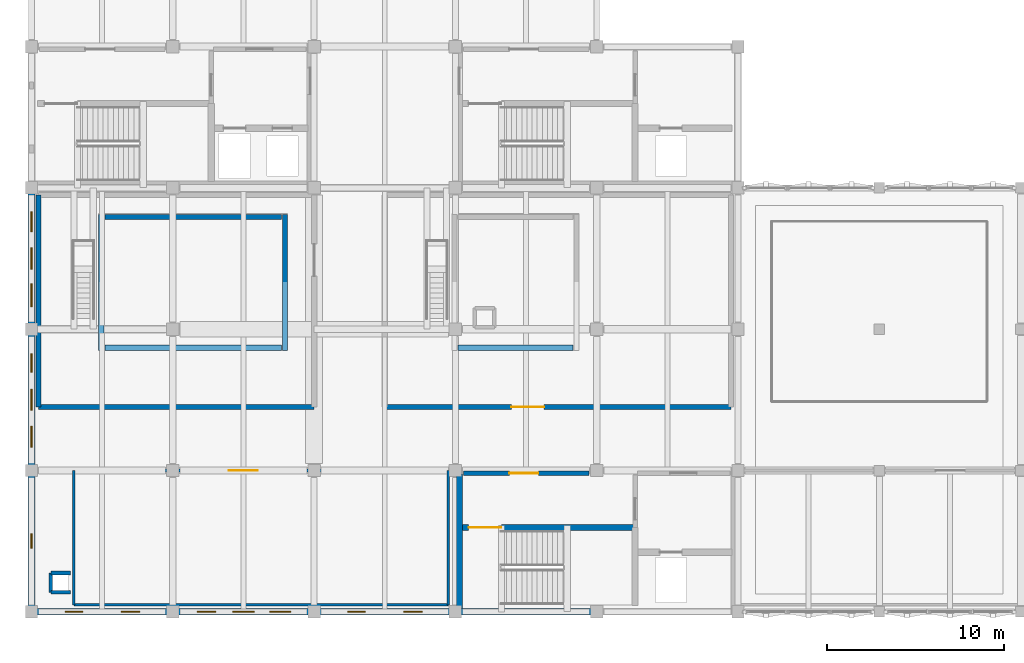
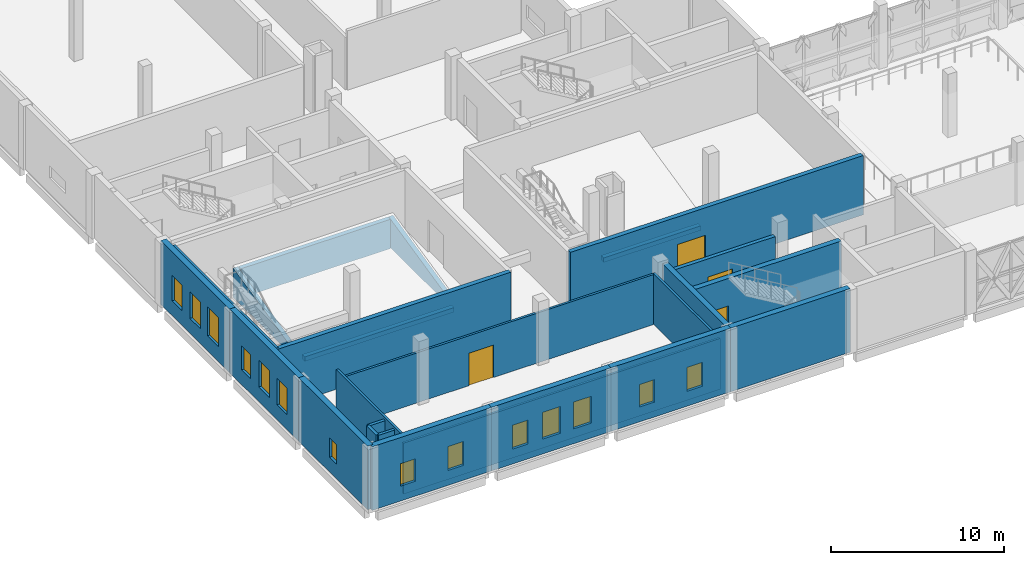
# One storey, part 35 of 43: 25 walls, 14 windows, 4 doors, 18 openings.
"""IFC4 building model written with IfcOpenShell, lengths in metres."""

from ifc_helpers import new_model, si_unit, direction, frame, frame_2d, origin, place, context, subcontext, project, spatial, polyline, rectangle, outline, extrude, material, layer, layer_set, type_object, element, fill, save


model = new_model("IFC4")

# Units and contexts
model_context = context("Model", 3, precision=1e-05, world=origin(), true_north=direction((0.0, 1.0)))
body_context = subcontext(model_context, "Body", "Model", "MODEL_VIEW")
ifc_project = project(units=[si_unit("LENGTHUNIT", "METRE"), si_unit("AREAUNIT", "SQUARE_METRE"), si_unit("VOLUMEUNIT", "CUBIC_METRE"), si_unit("PLANEANGLEUNIT", "RADIAN"), si_unit("MASSUNIT", "GRAM", prefix="KILO")], contexts=[model_context])

# Site, building, storey
site_placement = place(None, origin())
site = spatial("IfcSite", under=ifc_project, at=site_placement, CompositionType="ELEMENT")
building_placement = place(site_placement, origin())
building = spatial("IfcBuilding", under=site, at=building_placement, Name="Qorikala Patio Media Centre", CompositionType="ELEMENT")
storey_placement = place(building_placement, frame((0.0, 0.0, 18.89990234375)))
storey = spatial("IfcBuildingStorey", under=building, at=storey_placement, Name="L04", CompositionType="ELEMENT", Elevation=18.89990234375)

# Walls
ifc_material_1 = material(Name="Concrete C35/45", Category="concrete")
ifc_layer_1 = layer(ifc_material_1, 0.300048828125)
ifc_layer_set_1 = layer_set([ifc_layer_1], Name="Concrete C35/45")
wall_type_1 = type_object("IfcWallType", Name="WL-AC-300", PredefinedType="SHEAR", material=ifc_layer_set_1)
for number, where, z_axis, x_axis, name in (
    (1, (6.949951171875, 17.800048828125, 0.0), (0.0, 0.0, 1.0), (0.0, 1.0, 0.0), "Cinema Screen 5 Raked Seating Tier Raker Cheek Wall W"),
    (2, (17.35009765625, 17.800048828125, 0.0), (0.0, 0.0, 1.0), (0.0, 1.0, 0.0), "Cinema Screen 5 Raked Seating Tier Raker Cheek Wall E"),
):
    element("IfcWall", number, at=place(storey_placement, frame(where, z_axis=z_axis, x_axis=x_axis)), inside=storey, type_object=wall_type_1, Name=name, PredefinedType="SHEAR", context=body_context, shape_type="SweptSolid", body=[
        extrude(outline(polyline([(0.0, 0.0), (7.699951171875, 0.0), (7.699951171875, 2.070068359375), (0.0, 0.320068359375), (0.0, 0.0)])), frame((0.0, 0.14990234375, 0.0), z_axis=(0.0, -1.0, 0.0), x_axis=(1.0, 0.0, 0.0)), (0.0, 0.0, 1.0), 0.300048828125),
    ])
wall_1_placement = place(storey_placement, frame((7.14990234375, 25.35009765625, 0.0), z_axis=(0.0, 0.0, 1.0), x_axis=(1.0, 0.0, 0.0)))
element("IfcWall", 3, at=wall_1_placement, inside=storey, type_object=wall_type_1, Name="Cinema Screen 5 Raked Seating Tier Rear Riser Support Wall", PredefinedType="SHEAR", context=body_context, shape_type="SweptSolid", body=[
    extrude(rectangle(XDim=10.0, YDim=0.300048828125, at=frame_2d((5.0, 0.0))), origin(), (0.0, 0.0, 1.0), 2.070068359375),
])
wall_2_placement = place(storey_placement, frame((7.14990234375, 17.949951171875, 0.0), z_axis=(0.0, 0.0, 1.0), x_axis=(1.0, 0.0, 0.0)))
element("IfcWall", 4, at=wall_2_placement, inside=storey, type_object=wall_type_1, Name="Cinema Screen 5 Raked Seating Tier Front Riser Support Wall", PredefinedType="SHEAR", context=body_context, shape_type="SweptSolid", body=[
    extrude(rectangle(XDim=10.0, YDim=0.300048828125, at=frame_2d((5.0, 0.0))), origin(), (0.0, 0.0, 1.0), 0.320068359375),
])
wall_3_placement = place(storey_placement, frame((27.14990234375, 17.949951171875, 0.0), z_axis=(0.0, 0.0, 1.0), x_axis=(1.0, 0.0, 0.0)))
element("IfcWall", 5, at=wall_3_placement, inside=storey, type_object=wall_type_1, Name="Cinema Screen 6 Raked Seating Tier Front Riser Support Wall", PredefinedType="SHEAR", context=body_context, shape_type="SweptSolid", body=[
    extrude(rectangle(XDim=6.5, YDim=0.300048828125, at=frame_2d((3.25, 0.0))), origin(), (0.0, 0.0, 1.0), 0.320068359375),
])
wall_4_placement = place(storey_placement, frame((3.39990234375, 14.60009765625, 0.0), z_axis=(0.0, 0.0, 1.0), x_axis=(1.0, 0.0, 0.0)))
element("IfcWall", 6, at=wall_4_placement, inside=storey, type_object=wall_type_1, Name="L04 Interior Wall WINT-L04-SCR5-S", PredefinedType="SHEAR", context=body_context, shape_type="SweptSolid", body=[
    extrude(rectangle(XDim=15.60009765625, YDim=0.300048828125, at=frame_2d((7.800048828125, 0.0))), origin(), (0.0, 0.0, 1.0), 4.2001953125),
])
wall_5_placement = place(storey_placement, frame((3.39990234375, 14.60009765625, 0.0), z_axis=(0.0, 0.0, 1.0), x_axis=(0.0, 1.0, 0.0)))
element("IfcWall", 7, at=wall_5_placement, inside=storey, type_object=wall_type_1, Name="L04 Interior Wall WINT-L04-SCR5-W", PredefinedType="SHEAR", context=body_context, shape_type="SweptSolid", body=[
    extrude(rectangle(XDim=12.0, YDim=0.300048828125, at=frame_2d((6.0, 0.0))), origin(), (0.0, 0.0, 1.0), 4.2001953125),
])

# Wall, opening, door
wall_6_placement = place(storey_placement, frame((23.0, 14.60009765625, 0.0), z_axis=(0.0, 0.0, 1.0), x_axis=(1.0, 0.0, 0.0)))
wall_6 = element("IfcWall", 8, at=wall_6_placement, inside=storey, type_object=wall_type_1, Name="L04 Interior Wall WINT-L04-SCR6-S", PredefinedType="SHEAR", context=body_context, shape_type="SweptSolid", body=[
    extrude(rectangle(XDim=19.60009765625, YDim=0.300048828125, at=frame_2d((9.800048828125, 0.0))), origin(), (0.0, 0.0, 1.0), 4.2001953125),
])
opening_1_placement = place(wall_6_placement, frame((7.169921875, 0.0, 0.0)))
opening_1 = element("IfcOpeningElement", 9, at=opening_1_placement, cuts=wall_6, Name="Opening D303", PredefinedType="OPENING", context=body_context, shape_type="SweptSolid", body=[
    extrude(rectangle(XDim=1.85009765625, YDim=2.25, at=frame_2d((0.925048828125, 1.125))), frame((0.0, 0.159912109375, 0.0), z_axis=(0.0, -1.0, 0.0), x_axis=(1.0, 0.0, 0.0)), (0.0, 0.0, 1.0), 0.320068359375),
])
ifc_material_2 = material(Name="Powder-Coated Acoustic Fire Steel", Category="steel")
door_type_1 = type_object("IfcDoorType", Name="DR-FD60-185X225", OperationType="DOUBLE_DOOR_SINGLE_SWING", PredefinedType="DOOR", material=ifc_material_2)
door_1_placement = place(opening_1_placement, origin())
door_1 = element("IfcDoor", 10, at=door_1_placement, inside=storey, type_object=door_type_1, Name="Cinema Screen 6 Door 092", OperationType="DOUBLE_DOOR_SINGLE_SWING", OverallHeight=2.25, OverallWidth=1.85009765625, PredefinedType="DOOR", context=body_context, shape_type="SweptSolid", body=[
    extrude(rectangle(XDim=1.85009765625, YDim=2.25, at=frame_2d((0.925048828125, 1.125))), frame((0.0, 0.02490234375, 0.0), z_axis=(0.0, -1.0, 0.0), x_axis=(1.0, 0.0, 0.0)), (0.0, 0.0, 1.0), 0.050048828125),
])
fill(opening_1, door_1)

# Wall
ifc_layer_2 = layer(ifc_material_1, 0.35009765625)
ifc_layer_set_2 = layer_set([ifc_layer_2], Name="Concrete C35/45")
wall_type_2 = type_object("IfcWallType", Name="WL-CORE-350", PredefinedType="SHEAR", material=ifc_layer_set_2)
wall_7_placement = place(storey_placement, frame((27.22509765625, 3.199951171875, 0.0), z_axis=(0.0, 0.0, 1.0), x_axis=(0.0, 1.0, 0.0)))
element("IfcWall", 11, at=wall_7_placement, inside=storey, type_object=wall_type_2, Name="L04 Interior Wall CW-L04-C1-SW", PredefinedType="SHEAR", context=body_context, shape_type="SweptSolid", body=[
    extrude(rectangle(XDim=7.60009765625, YDim=0.35009765625, at=frame_2d((3.800048828125, 0.0))), origin(), (0.0, 0.0, 1.0), 4.2001953125),
])

# Wall, opening, door
wall_8_placement = place(storey_placement, frame((27.35009765625, 7.77490234375, 0.0), z_axis=(0.0, 0.0, 1.0), x_axis=(1.0, 0.0, 0.0)))
wall_8 = element("IfcWall", 12, at=wall_8_placement, inside=storey, type_object=wall_type_2, Name="L04 Interior Wall CW-L04-C1-SN", PredefinedType="SHEAR", context=body_context, shape_type="SweptSolid", body=[
    extrude(rectangle(XDim=9.824951171875, YDim=0.35009765625, at=frame_2d((4.91259765625, 0.0))), origin(), (0.0, 0.0, 1.0), 4.2001953125),
])
opening_2_placement = place(wall_8_placement, frame((0.39990234375, 0.0, 0.0)))
opening_2 = element("IfcOpeningElement", 13, at=opening_2_placement, cuts=wall_8, Name="Opening D043", PredefinedType="OPENING", context=body_context, shape_type="SweptSolid", body=[
    extrude(rectangle(XDim=1.85009765625, YDim=2.25, at=frame_2d((0.925048828125, 1.125))), frame((0.0, 0.18505859375, 0.0), z_axis=(0.0, -1.0, 0.0), x_axis=(1.0, 0.0, 0.0)), (0.0, 0.0, 1.0), 0.3701171875),
])
door_2_placement = place(opening_2_placement, origin())
door_2 = element("IfcDoor", 14, at=door_2_placement, inside=storey, type_object=door_type_1, Name="L04 Stair ST-1 Fire Door", OperationType="DOUBLE_DOOR_SINGLE_SWING", OverallHeight=2.25, OverallWidth=1.85009765625, PredefinedType="DOOR", context=body_context, shape_type="SweptSolid", body=[
    extrude(rectangle(XDim=1.85009765625, YDim=2.25, at=frame_2d((0.925048828125, 1.125))), frame((0.0, 0.02490234375, 0.0), z_axis=(0.0, -1.0, 0.0), x_axis=(1.0, 0.0, 0.0)), (0.0, 0.0, 1.0), 0.050048828125),
])
fill(opening_2, door_2)

ifc_layer_3 = layer(ifc_material_1, 0.25)
ifc_layer_set_3 = layer_set([ifc_layer_3], Name="Concrete C35/45")
wall_type_3 = type_object("IfcWallType", Name="WL-FFL-250", PredefinedType="PARTITIONING", material=ifc_layer_set_3)
wall_9_placement = place(storey_placement, frame((27.449951171875, 10.85009765625, 0.0), z_axis=(0.0, 0.0, 1.0), x_axis=(1.0, 0.0, 0.0)))
wall_9 = element("IfcWall", 15, at=wall_9_placement, inside=storey, type_object=wall_type_3, Name="L04 Interior Wall CW-L04-C1-CN1", PredefinedType="PARTITIONING", context=body_context, shape_type="SweptSolid", body=[
    extrude(rectangle(XDim=7.10009765625, YDim=0.25, at=frame_2d((3.550048828125, 0.0))), origin(), (0.0, 0.0, 1.0), 3.53515625),
])
opening_3_placement = place(wall_9_placement, frame((2.60009765625, 0.0, 0.0)))
opening_3 = element("IfcOpeningElement", 16, at=opening_3_placement, cuts=wall_9, Name="Opening D045", PredefinedType="OPENING", context=body_context, shape_type="SweptSolid", body=[
    extrude(rectangle(XDim=1.64990234375, YDim=2.25, at=frame_2d((0.824951171875, 1.125))), frame((0.0, 0.135009765625, 0.0), z_axis=(0.0, -1.0, 0.0), x_axis=(1.0, 0.0, 0.0)), (0.0, 0.0, 1.0), 0.27001953125),
])
door_type_2 = type_object("IfcDoorType", Name="DR-FD60-165X225", OperationType="DOUBLE_DOOR_SINGLE_SWING", PredefinedType="DOOR", material=ifc_material_2)
door_3_placement = place(opening_3_placement, frame((1.64990234375, 0.0, 0.0), z_axis=(0.0, 0.0, 1.0), x_axis=(-1.0, 0.0, 0.0)))
door_3 = element("IfcDoor", 17, at=door_3_placement, inside=storey, type_object=door_type_2, Name="L04 Core C1 Vestibule Door", OperationType="DOUBLE_DOOR_SINGLE_SWING", OverallHeight=2.25, OverallWidth=1.64990234375, PredefinedType="DOOR", context=body_context, shape_type="SweptSolid", body=[
    extrude(rectangle(XDim=1.64990234375, YDim=2.25, at=frame_2d((0.824951171875, 1.125))), frame((0.0, 0.02490234375, 0.0), z_axis=(0.0, -1.0, 0.0), x_axis=(1.0, 0.0, 0.0)), (0.0, 0.0, 1.0), 0.050048828125),
])
fill(opening_3, door_3)

# Walls
ifc_material_3 = material(Name="Acoustic Gypsum Stud Partition")
ifc_layer_4 = layer(ifc_material_3, 0.14990234375)
ifc_layer_set_4 = layer_set([ifc_layer_4], Name="Acoustic Gypsum Stud Partition")
wall_type_4 = type_object("IfcWallType", Name="WL-PT-150", PredefinedType="PARTITIONING", material=ifc_layer_set_4)
wall_10_placement = place(storey_placement, frame((5.39990234375, 3.39990234375, 0.0), z_axis=(0.0, 0.0, 1.0), x_axis=(1.0, 0.0, 0.0)))
element("IfcWall", 18, at=wall_10_placement, inside=storey, type_object=wall_type_4, Name="L04 Interior Wall WINT-L04-SLK5-S", PredefinedType="PARTITIONING", context=body_context, shape_type="SweptSolid", body=[
    extrude(rectangle(XDim=21.2001953125, YDim=0.14990234375, at=frame_2d((10.60009765625, 0.0))), origin(), (0.0, 0.0, 1.0), 3.60498046875),
])
wall_11_placement = place(storey_placement, frame((26.60009765625, 3.39990234375, 0.0), z_axis=(0.0, 0.0, 1.0), x_axis=(0.0, 1.0, 0.0)))
element("IfcWall", 19, at=wall_11_placement, inside=storey, type_object=wall_type_4, Name="L04 Interior Wall WINT-L04-SLK5-E", PredefinedType="PARTITIONING", context=body_context, shape_type="SweptSolid", body=[
    extrude(rectangle(XDim=7.60009765625, YDim=0.14990234375, at=frame_2d((3.800048828125, 0.0))), origin(), (0.0, 0.0, 1.0), 3.585205078125),
])

# Wall, opening, door
wall_12_placement = place(storey_placement, frame((5.39990234375, 11.0, 0.0), z_axis=(0.0, 0.0, 1.0), x_axis=(1.0, 0.0, 0.0)))
wall_12 = element("IfcWall", 20, at=wall_12_placement, inside=storey, type_object=wall_type_4, Name="L04 Interior Wall WINT-L04-SLK5-N", PredefinedType="PARTITIONING", context=body_context, shape_type="SweptSolid", body=[
    extrude(rectangle(XDim=21.2001953125, YDim=0.14990234375, at=frame_2d((10.60009765625, 0.0))), origin(), (0.0, 0.0, 1.0), 3.53515625),
])
opening_4_placement = place(wall_12_placement, frame((8.76708984375, 0.0, 0.0)))
opening_4 = element("IfcOpeningElement", 21, at=opening_4_placement, cuts=wall_12, Name="Opening D301", PredefinedType="OPENING", context=body_context, shape_type="SweptSolid", body=[
    extrude(rectangle(XDim=1.64990234375, YDim=2.300048828125, at=frame_2d((0.824951171875, 1.14990234375))), frame((0.0, 0.0849609375, 0.0), z_axis=(0.0, -1.0, 0.0), x_axis=(1.0, 0.0, 0.0)), (0.0, 0.0, 1.0), 0.169921875),
])
ifc_material_4 = material(Name="Solid Andean Cedar Timber", Category="wood")
door_type_3 = type_object("IfcDoorType", Name="DR-IN-165X230", OperationType="DOUBLE_DOOR_SINGLE_SWING", PredefinedType="DOOR", material=ifc_material_4)
door_4_placement = place(opening_4_placement, origin())
door_4 = element("IfcDoor", 22, at=door_4_placement, inside=storey, type_object=door_type_3, Name="Upper Cinema Acoustic Lounge Door 090", OperationType="DOUBLE_DOOR_SINGLE_SWING", OverallHeight=2.300048828125, OverallWidth=1.64990234375, PredefinedType="DOOR", context=body_context, shape_type="SweptSolid", body=[
    extrude(rectangle(XDim=1.64990234375, YDim=2.300048828125, at=frame_2d((0.824951171875, 1.14990234375))), frame((0.0, 0.02490234375, 0.0), z_axis=(0.0, -1.0, 0.0), x_axis=(1.0, 0.0, 0.0)), (0.0, 0.0, 1.0), 0.050048828125),
])
fill(opening_4, door_4)

# Walls
wall_13_placement = place(storey_placement, frame((5.39990234375, 3.39990234375, 0.0), z_axis=(0.0, 0.0, 1.0), x_axis=(0.0, 1.0, 0.0)))
element("IfcWall", 23, at=wall_13_placement, inside=storey, type_object=wall_type_4, Name="L04 Interior Wall WINT-L04-SLK5-W", PredefinedType="PARTITIONING", context=body_context, shape_type="SweptSolid", body=[
    extrude(rectangle(XDim=7.60009765625, YDim=0.14990234375, at=frame_2d((3.800048828125, 0.0))), origin(), (0.0, 0.0, 1.0), 4.2001953125),
])
ifc_material_5 = material(Name="Acoustic Masonry and Plaster Concrete C30/37", Category="masonry")
ifc_layer_5 = layer(ifc_material_5, 0.199951171875)
ifc_layer_set_5 = layer_set([ifc_layer_5], Name="Acoustic Masonry and Plaster Concrete C30/37")
wall_type_5 = type_object("IfcWallType", Name="WL-ST-200", PredefinedType="PARTITIONING", material=ifc_layer_set_5)
for number, where, z_axis, x_axis, name in (
    (24, (4.10009765625, 4.10009765625, 0.0), (0.0, 0.0, 1.0), (1.0, 0.0, 0.0), "L04 Interior Wall RSW-1-L04-S"),
    (25, (4.10009765625, 5.199951171875, 0.0), (0.0, 0.0, 1.0), (1.0, 0.0, 0.0), "L04 Interior Wall RSW-1-L04-N"),
    (26, (4.10009765625, 4.10009765625, 0.0), (0.0, 0.0, 1.0), (0.0, 1.0, 0.0), "L04 Interior Wall RSW-1-L04-W"),
):
    element("IfcWall", number, at=place(storey_placement, frame(where, z_axis=z_axis, x_axis=x_axis)), inside=storey, type_object=wall_type_5, Name=name, PredefinedType="PARTITIONING", context=body_context, shape_type="SweptSolid", body=[
        extrude(rectangle(XDim=1.099853515625, YDim=0.199951171875, at=frame_2d((0.5498046875, 0.0))), origin(), (0.0, 0.0, 1.0), 4.2001953125),
    ])
ifc_material_6 = material(Name="Comanche Granite and Concrete C35/45", Category="masonry")
ifc_layer_6 = layer(ifc_material_6, 0.3798828125)
ifc_layer_set_6 = layer_set([ifc_layer_6], Name="Comanche Granite and Concrete C35/45")
wall_type_6 = type_object("IfcWallType", Name="WL-STONE-380", PredefinedType="SOLIDWALL", material=ifc_layer_set_6)
wall_14_placement = place(storey_placement, frame((35.0, 3.0, 0.0), z_axis=(0.0, 0.0, 1.0), x_axis=(-1.0, 0.0, 0.0)))
element("IfcWall", 27, at=wall_14_placement, inside=storey, type_object=wall_type_6, Name="L04 Core C1 Exterior Shear Wall", PredefinedType="SOLIDWALL", context=body_context, shape_type="SweptSolid", body=[
    extrude(rectangle(XDim=8.0, YDim=0.3798828125, at=frame_2d((4.0, 0.0))), origin(), (0.0, 0.0, 1.0), 4.5),
])

# Wall, openings, windows
wall_15_placement = place(storey_placement, frame((27.0, 3.0, 0.0), z_axis=(0.0, 0.0, 1.0), x_axis=(-1.0, 0.0, 0.0)))
wall_15 = element("IfcWall", 28, at=wall_15_placement, inside=storey, type_object=wall_type_6, Name="L04 Exterior Wall WL-L04-EXT-0014", PredefinedType="SOLIDWALL", context=body_context, shape_type="SweptSolid", body=[
    extrude(rectangle(XDim=8.0, YDim=0.3798828125, at=frame_2d((4.0, 0.0))), origin(), (0.0, 0.0, 1.0), 4.5),
])
opening_5_placement = place(wall_15_placement, frame((1.875, 0.0, 1.050048828125)))
opening_5 = element("IfcOpeningElement", 29, at=opening_5_placement, cuts=wall_15, Name="Opening WG-105", PredefinedType="OPENING", context=body_context, shape_type="SweptSolid", body=[
    extrude(rectangle(XDim=1.050048828125, YDim=1.699951171875, at=frame_2d((0.52490234375, 0.85009765625))), frame((0.0, 0.199951171875, 0.0), z_axis=(0.0, -1.0, 0.0), x_axis=(1.0, 0.0, 0.0)), (0.0, 0.0, 1.0), 0.39990234375),
])
opening_6_placement = place(wall_15_placement, frame((5.110107421875, 0.0, 1.050048828125)))
opening_6 = element("IfcOpeningElement", 30, at=opening_6_placement, cuts=wall_15, Name="Opening WG-098", PredefinedType="OPENING", context=body_context, shape_type="SweptSolid", body=[
    extrude(rectangle(XDim=0.97998046875, YDim=1.60009765625, at=frame_2d((0.489990234375, 0.800048828125))), frame((0.0, 0.199951171875, 0.0), z_axis=(0.0, -1.0, 0.0), x_axis=(1.0, 0.0, 0.0)), (0.0, 0.0, 1.0), 0.39990234375),
])
ifc_material_7 = material(Name="Bronze Anodised Aluminium and Low-E Glass", Category="aluminium")
window_type_1 = type_object("IfcWindowType", Name="WN-GRAD-098X160", PartitioningType="SINGLE_PANEL", PredefinedType="WINDOW", material=ifc_material_7)
window_1_placement = place(opening_6_placement, origin())
window_1 = element("IfcWindow", 31, at=window_1_placement, inside=storey, type_object=window_type_1, Name="L04 Graduated Stone Window 0217", OverallHeight=1.60009765625, OverallWidth=0.97998046875, PartitioningType="SINGLE_PANEL", PredefinedType="WINDOW", context=body_context, shape_type="SweptSolid", body=[
    extrude(rectangle(XDim=0.97998046875, YDim=1.60009765625, at=frame_2d((0.489990234375, 0.800048828125))), frame((0.0, 0.030029296875, 0.0), z_axis=(0.0, -1.0, 0.0), x_axis=(1.0, 0.0, 0.0)), (0.0, 0.0, 1.0), 0.06005859375),
])
fill(opening_6, window_1)
window_type_2 = type_object("IfcWindowType", Name="WN-GRAD-105X170", PartitioningType="SINGLE_PANEL", PredefinedType="WINDOW", material=ifc_material_7)
window_2_placement = place(opening_5_placement, origin())
window_2 = element("IfcWindow", 32, at=window_2_placement, inside=storey, type_object=window_type_2, Name="L04 Graduated Stone Window 0216", OverallHeight=1.699951171875, OverallWidth=1.050048828125, PartitioningType="SINGLE_PANEL", PredefinedType="WINDOW", context=body_context, shape_type="SweptSolid", body=[
    extrude(rectangle(XDim=1.050048828125, YDim=1.699951171875, at=frame_2d((0.52490234375, 0.85009765625))), frame((0.0, 0.030029296875, 0.0), z_axis=(0.0, -1.0, 0.0), x_axis=(1.0, 0.0, 0.0)), (0.0, 0.0, 1.0), 0.06005859375),
])
fill(opening_5, window_2)

wall_16_placement = place(storey_placement, frame((19.0, 3.0, 0.0), z_axis=(0.0, 0.0, 1.0), x_axis=(-1.0, 0.0, 0.0)))
wall_16 = element("IfcWall", 33, at=wall_16_placement, inside=storey, type_object=wall_type_6, Name="L04 Exterior Wall WL-L04-EXT-0015", PredefinedType="SOLIDWALL", context=body_context, shape_type="SweptSolid", body=[
    extrude(rectangle(XDim=8.0, YDim=0.3798828125, at=frame_2d((4.0, 0.0))), origin(), (0.0, 0.0, 1.0), 4.5),
])
opening_7_placement = place(wall_16_placement, frame((1.320068359375, 0.0, 1.050048828125)))
opening_7 = element("IfcOpeningElement", 34, at=opening_7_placement, cuts=wall_16, Name="Opening WG-120", PredefinedType="OPENING", context=body_context, shape_type="SweptSolid", body=[
    extrude(rectangle(XDim=1.199951171875, YDim=1.89990234375, at=frame_2d((0.60009765625, 0.949951171875))), frame((0.0, 0.199951171875, 0.0), z_axis=(0.0, -1.0, 0.0), x_axis=(1.0, 0.0, 0.0)), (0.0, 0.0, 1.0), 0.39990234375),
])
opening_8_placement = place(wall_16_placement, frame((3.39990234375, 0.0, 1.050048828125)))
opening_8 = element("IfcOpeningElement", 35, at=opening_8_placement, cuts=wall_16, Name="Opening WG-120", PredefinedType="OPENING", context=body_context, shape_type="SweptSolid", body=[
    extrude(rectangle(XDim=1.199951171875, YDim=1.89990234375, at=frame_2d((0.60009765625, 0.949951171875))), frame((0.0, 0.199951171875, 0.0), z_axis=(0.0, -1.0, 0.0), x_axis=(1.0, 0.0, 0.0)), (0.0, 0.0, 1.0), 0.39990234375),
])
opening_9_placement = place(wall_16_placement, frame((5.554931640625, 0.0, 1.050048828125)))
opening_9 = element("IfcOpeningElement", 36, at=opening_9_placement, cuts=wall_16, Name="Opening WG-105", PredefinedType="OPENING", context=body_context, shape_type="SweptSolid", body=[
    extrude(rectangle(XDim=1.050048828125, YDim=1.699951171875, at=frame_2d((0.52490234375, 0.85009765625))), frame((0.0, 0.199951171875, 0.0), z_axis=(0.0, -1.0, 0.0), x_axis=(1.0, 0.0, 0.0)), (0.0, 0.0, 1.0), 0.39990234375),
])
window_3_placement = place(opening_9_placement, origin())
window_3 = element("IfcWindow", 37, at=window_3_placement, inside=storey, type_object=window_type_2, Name="L04 Graduated Stone Window 0220", OverallHeight=1.699951171875, OverallWidth=1.050048828125, PartitioningType="SINGLE_PANEL", PredefinedType="WINDOW", context=body_context, shape_type="SweptSolid", body=[
    extrude(rectangle(XDim=1.050048828125, YDim=1.699951171875, at=frame_2d((0.52490234375, 0.85009765625))), frame((0.0, 0.030029296875, 0.0), z_axis=(0.0, -1.0, 0.0), x_axis=(1.0, 0.0, 0.0)), (0.0, 0.0, 1.0), 0.06005859375),
])
fill(opening_9, window_3)
window_type_3 = type_object("IfcWindowType", Name="WN-GRAD-120X190", PartitioningType="SINGLE_PANEL", PredefinedType="WINDOW", material=ifc_material_7)
window_4_placement = place(opening_7_placement, origin())
window_4 = element("IfcWindow", 38, at=window_4_placement, inside=storey, type_object=window_type_3, Name="L04 Graduated Stone Window 0218", OverallHeight=1.89990234375, OverallWidth=1.199951171875, PartitioningType="SINGLE_PANEL", PredefinedType="WINDOW", context=body_context, shape_type="SweptSolid", body=[
    extrude(rectangle(XDim=1.199951171875, YDim=1.89990234375, at=frame_2d((0.60009765625, 0.949951171875))), frame((0.0, 0.030029296875, 0.0), z_axis=(0.0, -1.0, 0.0), x_axis=(1.0, 0.0, 0.0)), (0.0, 0.0, 1.0), 0.06005859375),
])
fill(opening_7, window_4)
window_5_placement = place(opening_8_placement, origin())
window_5 = element("IfcWindow", 39, at=window_5_placement, inside=storey, type_object=window_type_3, Name="L04 Graduated Stone Window 0219", OverallHeight=1.89990234375, OverallWidth=1.199951171875, PartitioningType="SINGLE_PANEL", PredefinedType="WINDOW", context=body_context, shape_type="SweptSolid", body=[
    extrude(rectangle(XDim=1.199951171875, YDim=1.89990234375, at=frame_2d((0.60009765625, 0.949951171875))), frame((0.0, 0.030029296875, 0.0), z_axis=(0.0, -1.0, 0.0), x_axis=(1.0, 0.0, 0.0)), (0.0, 0.0, 1.0), 0.06005859375),
])
fill(opening_8, window_5)

wall_17_placement = place(storey_placement, frame((11.0, 3.0, 0.0), z_axis=(0.0, 0.0, 1.0), x_axis=(-1.0, 0.0, 0.0)))
wall_17 = element("IfcWall", 40, at=wall_17_placement, inside=storey, type_object=wall_type_6, Name="L04 Exterior Wall WL-L04-EXT-0016", PredefinedType="SOLIDWALL", context=body_context, shape_type="SweptSolid", body=[
    extrude(rectangle(XDim=8.0, YDim=0.3798828125, at=frame_2d((4.0, 0.0))), origin(), (0.0, 0.0, 1.0), 4.5),
])
opening_10_placement = place(wall_17_placement, frame((1.875, 0.0, 1.050048828125)))
opening_10 = element("IfcOpeningElement", 41, at=opening_10_placement, cuts=wall_17, Name="Opening WG-105", PredefinedType="OPENING", context=body_context, shape_type="SweptSolid", body=[
    extrude(rectangle(XDim=1.050048828125, YDim=1.699951171875, at=frame_2d((0.52490234375, 0.85009765625))), frame((0.0, 0.199951171875, 0.0), z_axis=(0.0, -1.0, 0.0), x_axis=(1.0, 0.0, 0.0)), (0.0, 0.0, 1.0), 0.39990234375),
])
opening_11_placement = place(wall_17_placement, frame((5.110107421875, 0.0, 1.050048828125)))
opening_11 = element("IfcOpeningElement", 42, at=opening_11_placement, cuts=wall_17, Name="Opening WG-098", PredefinedType="OPENING", context=body_context, shape_type="SweptSolid", body=[
    extrude(rectangle(XDim=0.97998046875, YDim=1.60009765625, at=frame_2d((0.489990234375, 0.800048828125))), frame((0.0, 0.199951171875, 0.0), z_axis=(0.0, -1.0, 0.0), x_axis=(1.0, 0.0, 0.0)), (0.0, 0.0, 1.0), 0.39990234375),
])
window_6_placement = place(opening_11_placement, origin())
window_6 = element("IfcWindow", 43, at=window_6_placement, inside=storey, type_object=window_type_1, Name="L04 Graduated Stone Window 0222", OverallHeight=1.60009765625, OverallWidth=0.97998046875, PartitioningType="SINGLE_PANEL", PredefinedType="WINDOW", context=body_context, shape_type="SweptSolid", body=[
    extrude(rectangle(XDim=0.97998046875, YDim=1.60009765625, at=frame_2d((0.489990234375, 0.800048828125))), frame((0.0, 0.030029296875, 0.0), z_axis=(0.0, -1.0, 0.0), x_axis=(1.0, 0.0, 0.0)), (0.0, 0.0, 1.0), 0.06005859375),
])
fill(opening_11, window_6)
window_7_placement = place(opening_10_placement, origin())
window_7 = element("IfcWindow", 44, at=window_7_placement, inside=storey, type_object=window_type_2, Name="L04 Graduated Stone Window 0221", OverallHeight=1.699951171875, OverallWidth=1.050048828125, PartitioningType="SINGLE_PANEL", PredefinedType="WINDOW", context=body_context, shape_type="SweptSolid", body=[
    extrude(rectangle(XDim=1.050048828125, YDim=1.699951171875, at=frame_2d((0.52490234375, 0.85009765625))), frame((0.0, 0.030029296875, 0.0), z_axis=(0.0, -1.0, 0.0), x_axis=(1.0, 0.0, 0.0)), (0.0, 0.0, 1.0), 0.06005859375),
])
fill(opening_10, window_7)

# Wall, opening, window
wall_18_placement = place(storey_placement, frame((3.0, 3.0, 0.0), z_axis=(0.0, 0.0, 1.0), x_axis=(0.0, 1.0, 0.0)))
wall_18 = element("IfcWall", 45, at=wall_18_placement, inside=storey, type_object=wall_type_6, Name="L04 Exterior Wall WL-L04-EXT-0017", PredefinedType="SOLIDWALL", context=body_context, shape_type="SweptSolid", body=[
    extrude(rectangle(XDim=8.0, YDim=0.3798828125, at=frame_2d((4.0, 0.0))), origin(), (0.0, 0.0, 1.0), 4.5),
])
opening_12_placement = place(wall_18_placement, frame((3.590087890625, 0.0, 1.050048828125)))
opening_12 = element("IfcOpeningElement", 46, at=opening_12_placement, cuts=wall_18, Name="Opening WG-082", PredefinedType="OPENING", context=body_context, shape_type="SweptSolid", body=[
    extrude(rectangle(XDim=0.820068359375, YDim=1.3798828125, at=frame_2d((0.41015625, 0.68994140625))), frame((0.0, 0.199951171875, 0.0), z_axis=(0.0, -1.0, 0.0), x_axis=(1.0, 0.0, 0.0)), (0.0, 0.0, 1.0), 0.39990234375),
])
window_type_4 = type_object("IfcWindowType", Name="WN-GRAD-082X138", PartitioningType="SINGLE_PANEL", PredefinedType="WINDOW", material=ifc_material_7)
window_8_placement = place(opening_12_placement, origin())
window_8 = element("IfcWindow", 47, at=window_8_placement, inside=storey, type_object=window_type_4, Name="L04 Graduated Stone Window 0223", OverallHeight=1.3798828125, OverallWidth=0.820068359375, PartitioningType="SINGLE_PANEL", PredefinedType="WINDOW", context=body_context, shape_type="SweptSolid", body=[
    extrude(rectangle(XDim=0.820068359375, YDim=1.3798828125, at=frame_2d((0.41015625, 0.68994140625))), frame((0.0, 0.030029296875, 0.0), z_axis=(0.0, -1.0, 0.0), x_axis=(1.0, 0.0, 0.0)), (0.0, 0.0, 1.0), 0.06005859375),
])
fill(opening_12, window_8)

# Wall, openings, windows
wall_19_placement = place(storey_placement, frame((3.0, 11.0, 0.0), z_axis=(0.0, 0.0, 1.0), x_axis=(0.0, 1.0, 0.0)))
wall_19 = element("IfcWall", 48, at=wall_19_placement, inside=storey, type_object=wall_type_6, Name="L04 Exterior Wall WL-L04-EXT-0018", PredefinedType="SOLIDWALL", context=body_context, shape_type="SweptSolid", body=[
    extrude(rectangle(XDim=8.0, YDim=0.3798828125, at=frame_2d((4.0, 0.0))), origin(), (0.0, 0.0, 1.0), 4.5),
])
opening_13_placement = place(wall_19_placement, frame((1.320068359375, 0.0, 1.050048828125)))
opening_13 = element("IfcOpeningElement", 49, at=opening_13_placement, cuts=wall_19, Name="Opening WG-120", PredefinedType="OPENING", context=body_context, shape_type="SweptSolid", body=[
    extrude(rectangle(XDim=1.199951171875, YDim=1.89990234375, at=frame_2d((0.60009765625, 0.949951171875))), frame((0.0, 0.199951171875, 0.0), z_axis=(0.0, -1.0, 0.0), x_axis=(1.0, 0.0, 0.0)), (0.0, 0.0, 1.0), 0.39990234375),
])
opening_14_placement = place(wall_19_placement, frame((3.39990234375, 0.0, 1.050048828125)))
opening_14 = element("IfcOpeningElement", 50, at=opening_14_placement, cuts=wall_19, Name="Opening WG-120", PredefinedType="OPENING", context=body_context, shape_type="SweptSolid", body=[
    extrude(rectangle(XDim=1.199951171875, YDim=1.89990234375, at=frame_2d((0.60009765625, 0.949951171875))), frame((0.0, 0.199951171875, 0.0), z_axis=(0.0, -1.0, 0.0), x_axis=(1.0, 0.0, 0.0)), (0.0, 0.0, 1.0), 0.39990234375),
])
opening_15_placement = place(wall_19_placement, frame((5.554931640625, 0.0, 1.050048828125)))
opening_15 = element("IfcOpeningElement", 51, at=opening_15_placement, cuts=wall_19, Name="Opening WG-105", PredefinedType="OPENING", context=body_context, shape_type="SweptSolid", body=[
    extrude(rectangle(XDim=1.050048828125, YDim=1.699951171875, at=frame_2d((0.52490234375, 0.85009765625))), frame((0.0, 0.199951171875, 0.0), z_axis=(0.0, -1.0, 0.0), x_axis=(1.0, 0.0, 0.0)), (0.0, 0.0, 1.0), 0.39990234375),
])
window_9_placement = place(opening_15_placement, origin())
window_9 = element("IfcWindow", 52, at=window_9_placement, inside=storey, type_object=window_type_2, Name="L04 Graduated Stone Window 0226", OverallHeight=1.699951171875, OverallWidth=1.050048828125, PartitioningType="SINGLE_PANEL", PredefinedType="WINDOW", context=body_context, shape_type="SweptSolid", body=[
    extrude(rectangle(XDim=1.050048828125, YDim=1.699951171875, at=frame_2d((0.52490234375, 0.85009765625))), frame((0.0, 0.030029296875, 0.0), z_axis=(0.0, -1.0, 0.0), x_axis=(1.0, 0.0, 0.0)), (0.0, 0.0, 1.0), 0.06005859375),
])
fill(opening_15, window_9)
window_10_placement = place(opening_13_placement, origin())
window_10 = element("IfcWindow", 53, at=window_10_placement, inside=storey, type_object=window_type_3, Name="L04 Graduated Stone Window 0224", OverallHeight=1.89990234375, OverallWidth=1.199951171875, PartitioningType="SINGLE_PANEL", PredefinedType="WINDOW", context=body_context, shape_type="SweptSolid", body=[
    extrude(rectangle(XDim=1.199951171875, YDim=1.89990234375, at=frame_2d((0.60009765625, 0.949951171875))), frame((0.0, 0.030029296875, 0.0), z_axis=(0.0, -1.0, 0.0), x_axis=(1.0, 0.0, 0.0)), (0.0, 0.0, 1.0), 0.06005859375),
])
fill(opening_13, window_10)
window_11_placement = place(opening_14_placement, origin())
window_11 = element("IfcWindow", 54, at=window_11_placement, inside=storey, type_object=window_type_3, Name="L04 Graduated Stone Window 0225", OverallHeight=1.89990234375, OverallWidth=1.199951171875, PartitioningType="SINGLE_PANEL", PredefinedType="WINDOW", context=body_context, shape_type="SweptSolid", body=[
    extrude(rectangle(XDim=1.199951171875, YDim=1.89990234375, at=frame_2d((0.60009765625, 0.949951171875))), frame((0.0, 0.030029296875, 0.0), z_axis=(0.0, -1.0, 0.0), x_axis=(1.0, 0.0, 0.0)), (0.0, 0.0, 1.0), 0.06005859375),
])
fill(opening_14, window_11)

wall_20_placement = place(storey_placement, frame((3.0, 19.0, 0.0), z_axis=(0.0, 0.0, 1.0), x_axis=(0.0, 1.0, 0.0)))
wall_20 = element("IfcWall", 55, at=wall_20_placement, inside=storey, type_object=wall_type_6, Name="L04 Exterior Wall WL-L04-EXT-0019", PredefinedType="SOLIDWALL", context=body_context, shape_type="SweptSolid", body=[
    extrude(rectangle(XDim=8.0, YDim=0.3798828125, at=frame_2d((4.0, 0.0))), origin(), (0.0, 0.0, 1.0), 4.5),
])
opening_16_placement = place(wall_20_placement, frame((1.260009765625, 0.0, 1.050048828125)))
opening_16 = element("IfcOpeningElement", 56, at=opening_16_placement, cuts=wall_20, Name="Opening WG-132", PredefinedType="OPENING", context=body_context, shape_type="SweptSolid", body=[
    extrude(rectangle(XDim=1.320068359375, YDim=2.050048828125, at=frame_2d((0.66015625, 1.02490234375))), frame((0.0, 0.199951171875, 0.0), z_axis=(0.0, -1.0, 0.0), x_axis=(1.0, 0.0, 0.0)), (0.0, 0.0, 1.0), 0.39990234375),
])
opening_17_placement = place(wall_20_placement, frame((3.39990234375, 0.0, 1.050048828125)))
opening_17 = element("IfcOpeningElement", 57, at=opening_17_placement, cuts=wall_20, Name="Opening WG-120", PredefinedType="OPENING", context=body_context, shape_type="SweptSolid", body=[
    extrude(rectangle(XDim=1.199951171875, YDim=1.89990234375, at=frame_2d((0.60009765625, 0.949951171875))), frame((0.0, 0.199951171875, 0.0), z_axis=(0.0, -1.0, 0.0), x_axis=(1.0, 0.0, 0.0)), (0.0, 0.0, 1.0), 0.39990234375),
])
opening_18_placement = place(wall_20_placement, frame((5.510009765625, 0.0, 1.050048828125)))
opening_18 = element("IfcOpeningElement", 58, at=opening_18_placement, cuts=wall_20, Name="Opening WG-114", PredefinedType="OPENING", context=body_context, shape_type="SweptSolid", body=[
    extrude(rectangle(XDim=1.139892578125, YDim=1.800048828125, at=frame_2d((0.56982421875, 0.89990234375))), frame((0.0, 0.199951171875, 0.0), z_axis=(0.0, -1.0, 0.0), x_axis=(1.0, 0.0, 0.0)), (0.0, 0.0, 1.0), 0.39990234375),
])
window_type_5 = type_object("IfcWindowType", Name="WN-GRAD-114X180", PartitioningType="SINGLE_PANEL", PredefinedType="WINDOW", material=ifc_material_7)
window_12_placement = place(opening_18_placement, origin())
window_12 = element("IfcWindow", 59, at=window_12_placement, inside=storey, type_object=window_type_5, Name="L04 Graduated Stone Window 0229", OverallHeight=1.800048828125, OverallWidth=1.139892578125, PartitioningType="SINGLE_PANEL", PredefinedType="WINDOW", context=body_context, shape_type="SweptSolid", body=[
    extrude(rectangle(XDim=1.139892578125, YDim=1.800048828125, at=frame_2d((0.56982421875, 0.89990234375))), frame((0.0, 0.030029296875, 0.0), z_axis=(0.0, -1.0, 0.0), x_axis=(1.0, 0.0, 0.0)), (0.0, 0.0, 1.0), 0.06005859375),
])
fill(opening_18, window_12)
window_13_placement = place(opening_17_placement, origin())
window_13 = element("IfcWindow", 60, at=window_13_placement, inside=storey, type_object=window_type_3, Name="L04 Graduated Stone Window 0228", OverallHeight=1.89990234375, OverallWidth=1.199951171875, PartitioningType="SINGLE_PANEL", PredefinedType="WINDOW", context=body_context, shape_type="SweptSolid", body=[
    extrude(rectangle(XDim=1.199951171875, YDim=1.89990234375, at=frame_2d((0.60009765625, 0.949951171875))), frame((0.0, 0.030029296875, 0.0), z_axis=(0.0, -1.0, 0.0), x_axis=(1.0, 0.0, 0.0)), (0.0, 0.0, 1.0), 0.06005859375),
])
fill(opening_17, window_13)
window_type_6 = type_object("IfcWindowType", Name="WN-GRAD-132X205", PartitioningType="SINGLE_PANEL", PredefinedType="WINDOW", material=ifc_material_7)
window_14_placement = place(opening_16_placement, origin())
window_14 = element("IfcWindow", 61, at=window_14_placement, inside=storey, type_object=window_type_6, Name="L04 Graduated Stone Window 0227", OverallHeight=2.050048828125, OverallWidth=1.320068359375, PartitioningType="SINGLE_PANEL", PredefinedType="WINDOW", context=body_context, shape_type="SweptSolid", body=[
    extrude(rectangle(XDim=1.320068359375, YDim=2.050048828125, at=frame_2d((0.66015625, 1.02490234375))), frame((0.0, 0.030029296875, 0.0), z_axis=(0.0, -1.0, 0.0), x_axis=(1.0, 0.0, 0.0)), (0.0, 0.0, 1.0), 0.06005859375),
])
fill(opening_16, window_14)

save(model, "model.ifc")
